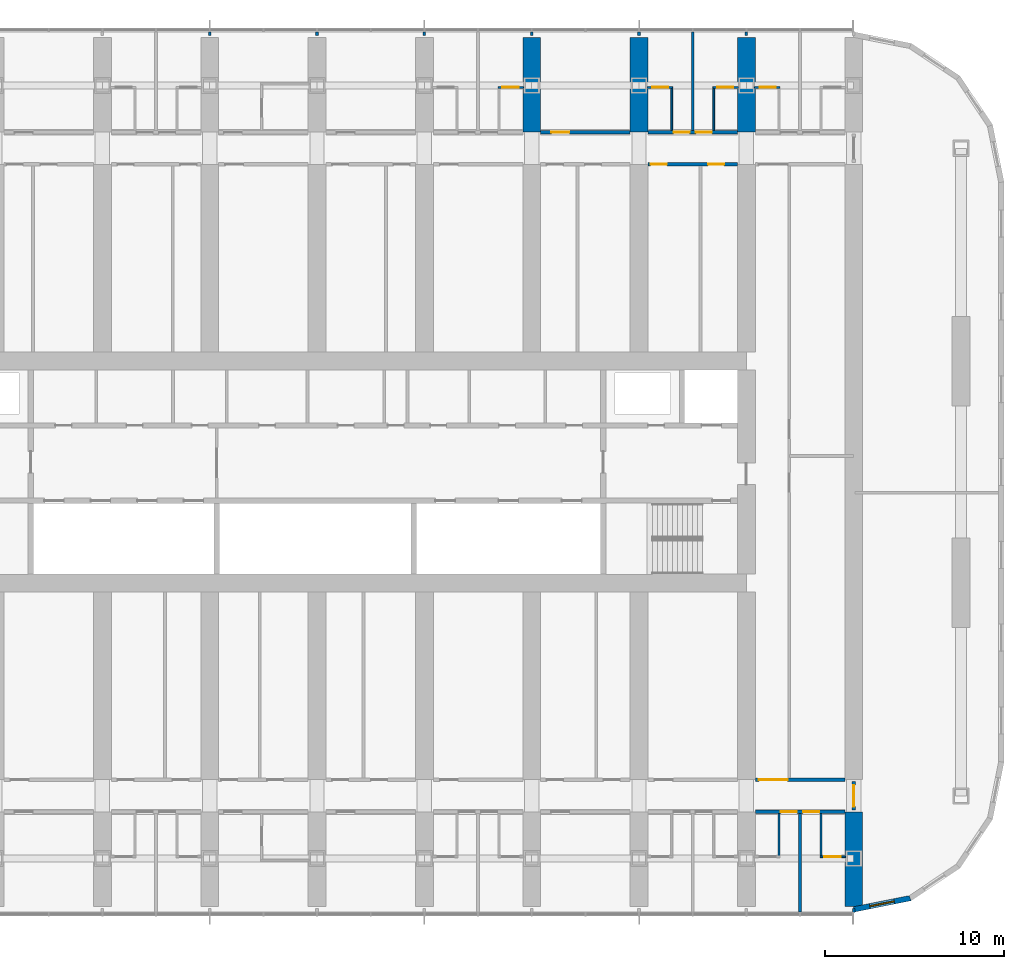
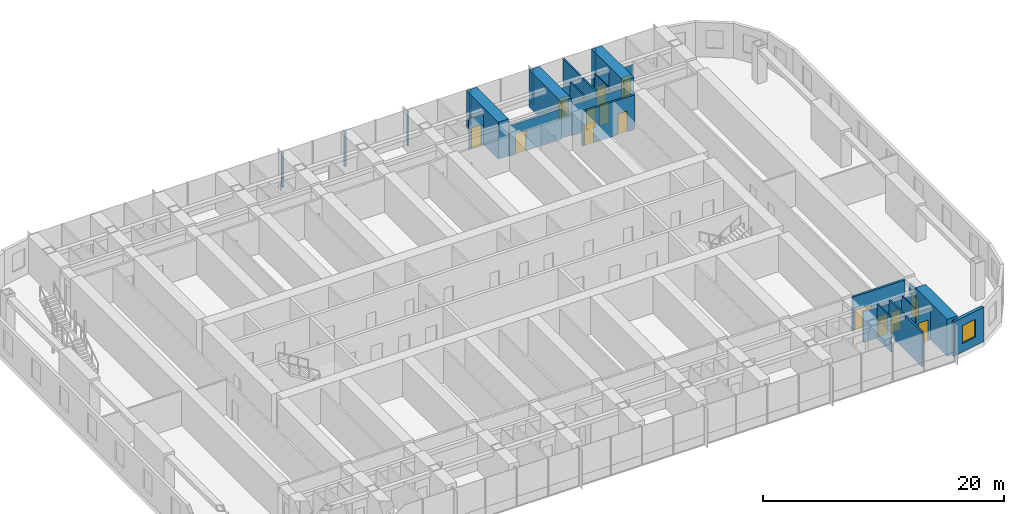
# One storey, part 19 of 28: 29 walls, 14 doors, 1 window, 15 openings.
"""IFC4 building model written with IfcOpenShell, lengths in metres."""

from ifc_helpers import new_model, si_unit, direction, frame, frame_2d, origin, place, context, subcontext, project, spatial, polyline, rectangle, outline, extrude, material, layer, layer_set, type_object, element, fill, save


model = new_model("IFC4")

# Units and contexts
model_context = context("Model", 3, precision=1e-05, world=origin(), true_north=direction((0.0, 1.0)))
body_context = subcontext(model_context, "Body", "Model", "MODEL_VIEW")
ifc_project = project(units=[si_unit("LENGTHUNIT", "METRE"), si_unit("AREAUNIT", "SQUARE_METRE"), si_unit("VOLUMEUNIT", "CUBIC_METRE"), si_unit("PLANEANGLEUNIT", "RADIAN"), si_unit("MASSUNIT", "GRAM", prefix="KILO")], contexts=[model_context])

# Site, building, storey
site_placement = place(None, origin())
site = spatial("IfcSite", under=ifc_project, at=site_placement, CompositionType="ELEMENT")
building_placement = place(site_placement, origin())
building = spatial("IfcBuilding", under=site, at=building_placement, Name="Orbita Commons", CompositionType="ELEMENT")
storey_placement = place(building_placement, frame((0.0, 0.0, 23.949951171875)))
storey = spatial("IfcBuildingStorey", under=building, at=storey_placement, Name="L05", CompositionType="ELEMENT", Elevation=23.949951171875)

# Wall, openings, doors
ifc_material_1 = material(Name="Concrete blockwork", Category="masonry")
ifc_layer_1 = layer(ifc_material_1, 0.199951171875)
ifc_layer_set_1 = layer_set([ifc_layer_1], Name="Concrete blockwork")
wall_type_1 = type_object("IfcWallType", Name="Corridor wall 200 blockwork", PredefinedType="SOLIDWALL", material=ifc_layer_set_1)
wall_1_placement = place(storey_placement, frame((66.5, 13.0, 0.0), z_axis=(0.0, 0.0, 1.0), x_axis=(1.0, 0.0, 0.0)))
wall_1 = element("IfcWall", 1, at=wall_1_placement, inside=storey, type_object=wall_type_1, Name="Corridor wall 200 blockwork L05", PredefinedType="SOLIDWALL", context=body_context, shape_type="SweptSolid", body=[
    extrude(outline(polyline([(0.0, 0.0), (5.0, 0.0), (5.0, 3.10009765625), (0.0, 3.10009765625), (0.0, 0.0)])), frame((0.0, 0.10009765625, 0.0), z_axis=(0.0, -1.0, 0.0), x_axis=(1.0, 0.0, 0.0)), (0.0, 0.0, 1.0), 0.199951171875),
])
opening_1_placement = place(wall_1_placement, frame((1.425048828125, 0.0, 0.0)))
opening_1 = element("IfcOpeningElement", 2, at=opening_1_placement, cuts=wall_1, Name="Opening D11", PredefinedType="OPENING", context=body_context, shape_type="SweptSolid", body=[
    extrude(rectangle(XDim=0.89990234375, YDim=2.10009765625, at=frame_2d((0.449951171875, 1.050048828125))), frame((0.0, 0.10986328125, 0.0), z_axis=(0.0, -1.0, 0.0), x_axis=(1.0, 0.0, 0.0)), (0.0, 0.0, 1.0), 0.219970703125),
])
opening_2_placement = place(wall_1_placement, frame((2.675048828125, 0.0, 0.0)))
opening_2 = element("IfcOpeningElement", 3, at=opening_2_placement, cuts=wall_1, Name="Opening D11", PredefinedType="OPENING", context=body_context, shape_type="SweptSolid", body=[
    extrude(rectangle(XDim=0.89990234375, YDim=2.10009765625, at=frame_2d((0.449951171875, 1.050048828125))), frame((0.0, 0.10986328125, 0.0), z_axis=(0.0, -1.0, 0.0), x_axis=(1.0, 0.0, 0.0)), (0.0, 0.0, 1.0), 0.219970703125),
])
ifc_material_2 = material(Name="Steel-faced fire door leaf", Category="steel")
door_type_1 = type_object("IfcDoorType", Name="Corridor door 20 min 900x2100", OperationType="SINGLE_SWING_LEFT", PredefinedType="DOOR", material=ifc_material_2)
door_1_placement = place(opening_1_placement, origin())
door_1 = element("IfcDoor", 4, at=door_1_placement, inside=storey, type_object=door_type_1, Name="House bedroom L05-S18 door", OperationType="SINGLE_SWING_LEFT", OverallHeight=2.10009765625, OverallWidth=0.89990234375, PredefinedType="DOOR", context=body_context, shape_type="SweptSolid", body=[
    extrude(rectangle(XDim=0.89990234375, YDim=2.10009765625, at=frame_2d((0.449951171875, 1.050048828125))), frame((0.0, 0.02490234375, 0.0), z_axis=(0.0, -1.0, 0.0), x_axis=(1.0, 0.0, 0.0)), (0.0, 0.0, 1.0), 0.050048828125),
])
fill(opening_1, door_1)
door_2_placement = place(opening_2_placement, origin())
door_2 = element("IfcDoor", 5, at=door_2_placement, inside=storey, type_object=door_type_1, Name="House bedroom L05-S19 door", OperationType="SINGLE_SWING_LEFT", OverallHeight=2.10009765625, OverallWidth=0.89990234375, PredefinedType="DOOR", context=body_context, shape_type="SweptSolid", body=[
    extrude(rectangle(XDim=0.89990234375, YDim=2.10009765625, at=frame_2d((0.449951171875, 1.050048828125))), frame((0.0, 0.02490234375, 0.0), z_axis=(0.0, -1.0, 0.0), x_axis=(1.0, 0.0, 0.0)), (0.0, 0.0, 1.0), 0.050048828125),
])
fill(opening_2, door_2)

# Wall, opening, door
wall_2_placement = place(storey_placement, frame((54.5, 51.0, 0.0), z_axis=(0.0, 0.0, 1.0), x_axis=(1.0, 0.0, 0.0)))
wall_2 = element("IfcWall", 6, at=wall_2_placement, inside=storey, type_object=wall_type_1, Name="Corridor wall 200 blockwork L05", PredefinedType="SOLIDWALL", context=body_context, shape_type="SweptSolid", body=[
    extrude(outline(polyline([(0.0, 0.0), (5.0, 0.0), (5.0, 3.10009765625), (0.0, 3.10009765625), (0.0, 0.0)])), frame((0.0, 0.10009765625, 0.0), z_axis=(0.0, -1.0, 0.0), x_axis=(1.0, 0.0, 0.0)), (0.0, 0.0, 1.0), 0.199951171875),
])
opening_3_placement = place(wall_2_placement, frame((0.60009765625, 0.0, 0.0)))
opening_3 = element("IfcOpeningElement", 7, at=opening_3_placement, cuts=wall_2, Name="Opening D06", PredefinedType="OPENING", context=body_context, shape_type="SweptSolid", body=[
    extrude(rectangle(XDim=1.0, YDim=2.10009765625, at=frame_2d((0.5, 1.050048828125))), frame((0.0, 0.10986328125, 0.0), z_axis=(0.0, -1.0, 0.0), x_axis=(1.0, 0.0, 0.0)), (0.0, 0.0, 1.0), 0.219970703125),
])
ifc_material_3 = material(Name="Steel-faced fire door leaf", Category="steel")
door_type_2 = type_object("IfcDoorType", Name="Corridor door 20 min 1000x2100", OperationType="SINGLE_SWING_LEFT", PredefinedType="DOOR", material=ifc_material_3)
door_3_placement = place(opening_3_placement, origin())
door_3 = element("IfcDoor", 8, at=door_3_placement, inside=storey, type_object=door_type_2, Name="House common room L05-N14 door", OperationType="SINGLE_SWING_LEFT", OverallHeight=2.10009765625, OverallWidth=1.0, PredefinedType="DOOR", context=body_context, shape_type="SweptSolid", body=[
    extrude(rectangle(XDim=1.0, YDim=2.10009765625, at=frame_2d((0.5, 1.050048828125))), frame((0.0, 0.02490234375, 0.0), z_axis=(0.0, -1.0, 0.0), x_axis=(1.0, 0.0, 0.0)), (0.0, 0.0, 1.0), 0.050048828125),
])
fill(opening_3, door_3)

# Wall, openings, doors
wall_3_placement = place(storey_placement, frame((60.5, 51.0, 0.0), z_axis=(0.0, 0.0, 1.0), x_axis=(1.0, 0.0, 0.0)))
wall_3 = element("IfcWall", 9, at=wall_3_placement, inside=storey, type_object=wall_type_1, Name="Corridor wall 200 blockwork L05", PredefinedType="SOLIDWALL", context=body_context, shape_type="SweptSolid", body=[
    extrude(outline(polyline([(0.0, 0.0), (5.0, 0.0), (5.0, 3.10009765625), (0.0, 3.10009765625), (0.0, 0.0)])), frame((0.0, 0.10009765625, 0.0), z_axis=(0.0, -1.0, 0.0), x_axis=(1.0, 0.0, 0.0)), (0.0, 0.0, 1.0), 0.199951171875),
])
opening_4_placement = place(wall_3_placement, frame((1.425048828125, 0.0, 0.0)))
opening_4 = element("IfcOpeningElement", 10, at=opening_4_placement, cuts=wall_3, Name="Opening D11", PredefinedType="OPENING", context=body_context, shape_type="SweptSolid", body=[
    extrude(rectangle(XDim=0.89990234375, YDim=2.10009765625, at=frame_2d((0.449951171875, 1.050048828125))), frame((0.0, 0.10986328125, 0.0), z_axis=(0.0, -1.0, 0.0), x_axis=(1.0, 0.0, 0.0)), (0.0, 0.0, 1.0), 0.219970703125),
])
opening_5_placement = place(wall_3_placement, frame((2.675048828125, 0.0, 0.0)))
opening_5 = element("IfcOpeningElement", 11, at=opening_5_placement, cuts=wall_3, Name="Opening D11", PredefinedType="OPENING", context=body_context, shape_type="SweptSolid", body=[
    extrude(rectangle(XDim=0.89990234375, YDim=2.10009765625, at=frame_2d((0.449951171875, 1.050048828125))), frame((0.0, 0.10986328125, 0.0), z_axis=(0.0, -1.0, 0.0), x_axis=(1.0, 0.0, 0.0)), (0.0, 0.0, 1.0), 0.219970703125),
])
door_4_placement = place(opening_4_placement, origin())
door_4 = element("IfcDoor", 12, at=door_4_placement, inside=storey, type_object=door_type_1, Name="House bedroom L05-N16 door", OperationType="SINGLE_SWING_LEFT", OverallHeight=2.10009765625, OverallWidth=0.89990234375, PredefinedType="DOOR", context=body_context, shape_type="SweptSolid", body=[
    extrude(rectangle(XDim=0.89990234375, YDim=2.10009765625, at=frame_2d((0.449951171875, 1.050048828125))), frame((0.0, 0.02490234375, 0.0), z_axis=(0.0, -1.0, 0.0), x_axis=(1.0, 0.0, 0.0)), (0.0, 0.0, 1.0), 0.050048828125),
])
fill(opening_4, door_4)
door_5_placement = place(opening_5_placement, origin())
door_5 = element("IfcDoor", 13, at=door_5_placement, inside=storey, type_object=door_type_1, Name="House bedroom L05-N17 door", OperationType="SINGLE_SWING_LEFT", OverallHeight=2.10009765625, OverallWidth=0.89990234375, PredefinedType="DOOR", context=body_context, shape_type="SweptSolid", body=[
    extrude(rectangle(XDim=0.89990234375, YDim=2.10009765625, at=frame_2d((0.449951171875, 1.050048828125))), frame((0.0, 0.02490234375, 0.0), z_axis=(0.0, -1.0, 0.0), x_axis=(1.0, 0.0, 0.0)), (0.0, 0.0, 1.0), 0.050048828125),
])
fill(opening_5, door_5)

# Wall, opening, door
wall_4_placement = place(storey_placement, frame((72.0, 13.10009765625, 0.0), z_axis=(0.0, 0.0, 1.0), x_axis=(0.0, 1.0, 0.0)))
wall_4 = element("IfcWall", 14, at=wall_4_placement, inside=storey, type_object=wall_type_1, Name="Corridor wall 200 blockwork L05", PredefinedType="SOLIDWALL", context=body_context, shape_type="SweptSolid", body=[
    extrude(outline(polyline([(0.0, 0.0), (1.599853515625, 0.0), (1.60009765625, 3.050048828125), (0.0, 3.050048828125), (0.0, 0.0)])), frame((0.0, 0.10009765625, 0.0), z_axis=(0.0, -1.0, 0.0), x_axis=(1.0, 0.0, 0.0)), (0.0, 0.0, 1.0), 0.199951171875),
])
opening_6_placement = place(wall_4_placement, frame((0.199951171875, 0.0, 0.0)))
opening_6 = element("IfcOpeningElement", 15, at=opening_6_placement, cuts=wall_4, Name="Opening D12", PredefinedType="OPENING", context=body_context, shape_type="SweptSolid", body=[
    extrude(rectangle(XDim=1.199951171875, YDim=2.10009765625, at=frame_2d((0.60009765625, 1.050048828125))), frame((0.0, 0.10986328125, 0.0), z_axis=(0.0, -1.0, 0.0), x_axis=(1.0, 0.0, 0.0)), (0.0, 0.0, 1.0), 0.219970703125),
])
ifc_material_4 = material(Name="Steel-faced fire door leaf", Category="steel")
door_type_3 = type_object("IfcDoorType", Name="Double corridor door 20 min 1200x2100", OperationType="DOUBLE_DOOR_SINGLE_SWING", PredefinedType="DOOR", material=ifc_material_4)
door_6_placement = place(opening_6_placement, origin())
door_6 = element("IfcDoor", 16, at=door_6_placement, inside=storey, type_object=door_type_3, Name="Lounge doors", OperationType="DOUBLE_DOOR_SINGLE_SWING", OverallHeight=2.10009765625, OverallWidth=1.199951171875, PredefinedType="DOOR", context=body_context, shape_type="SweptSolid", body=[
    extrude(rectangle(XDim=1.199951171875, YDim=2.10009765625, at=frame_2d((0.60009765625, 1.050048828125))), frame((0.0, 0.02490234375, 0.0), z_axis=(0.0, -1.0, 0.0), x_axis=(1.0, 0.0, 0.0)), (0.0, 0.0, 1.0), 0.050048828125),
])
fill(opening_6, door_6)

ifc_material_5 = material(Name="Hollow concrete block 200", Category="concrete")
ifc_layer_2 = layer(ifc_material_5, 0.199951171875)
ifc_layer_set_2 = layer_set([ifc_layer_2], Name="Hollow concrete block 200")
wall_type_2 = type_object("IfcWallType", Name="Corridor wall 200 hollow concrete block", PredefinedType="SOLIDWALL", material=ifc_layer_set_2)
wall_5_placement = place(storey_placement, frame((66.5, 14.800048828125, 0.0), z_axis=(0.0, 0.0, 1.0), x_axis=(1.0, 0.0, 0.0)))
wall_5 = element("IfcWall", 17, at=wall_5_placement, inside=storey, type_object=wall_type_2, Name="Corridor wall 200 hollow concrete block L05", PredefinedType="SOLIDWALL", context=body_context, shape_type="SweptSolid", body=[
    extrude(rectangle(XDim=5.0, YDim=0.199951171875, at=frame_2d((2.5, 0.0))), origin(), (0.0, 0.0, 1.0), 3.5),
])
opening_7_placement = place(wall_5_placement, frame((0.199951171875, 0.0, 0.0)))
opening_7 = element("IfcOpeningElement", 18, at=opening_7_placement, cuts=wall_5, Name="Opening D10", PredefinedType="OPENING", context=body_context, shape_type="SweptSolid", body=[
    extrude(rectangle(XDim=1.60009765625, YDim=2.10009765625, at=frame_2d((0.800048828125, 1.050048828125))), frame((0.0, 0.10986328125, 0.0), z_axis=(0.0, -1.0, 0.0), x_axis=(1.0, 0.0, 0.0)), (0.0, 0.0, 1.0), 0.219970703125),
])
ifc_material_6 = material(Name="Steel-faced fire door leaf", Category="steel")
door_type_4 = type_object("IfcDoorType", Name="Double corridor door 20 min 1600x2100", OperationType="DOUBLE_DOOR_SINGLE_SWING", PredefinedType="DOOR", material=ifc_material_6)
door_7_placement = place(opening_7_placement, origin())
door_7 = element("IfcDoor", 19, at=door_7_placement, inside=storey, type_object=door_type_4, Name="Cross corridor doors", OperationType="DOUBLE_DOOR_SINGLE_SWING", OverallHeight=2.10009765625, OverallWidth=1.60009765625, PredefinedType="DOOR", context=body_context, shape_type="SweptSolid", body=[
    extrude(rectangle(XDim=1.60009765625, YDim=2.10009765625, at=frame_2d((0.800048828125, 1.050048828125))), frame((0.0, 0.02490234375, 0.0), z_axis=(0.0, -1.0, 0.0), x_axis=(1.0, 0.0, 0.0)), (0.0, 0.0, 1.0), 0.050048828125),
])
fill(opening_7, door_7)

# Wall, openings, doors
wall_6_placement = place(storey_placement, frame((60.5, 49.199951171875, 0.0), z_axis=(0.0, 0.0, 1.0), x_axis=(1.0, 0.0, 0.0)))
wall_6 = element("IfcWall", 20, at=wall_6_placement, inside=storey, type_object=wall_type_2, Name="Corridor wall 200 hollow concrete block L05", PredefinedType="SOLIDWALL", context=body_context, shape_type="SweptSolid", body=[
    extrude(rectangle(XDim=5.0, YDim=0.199951171875, at=frame_2d((2.5, 0.0))), origin(), (0.0, 0.0, 1.0), 3.5),
])
opening_8_placement = place(wall_6_placement, frame((0.14990234375, 0.0, 0.0)))
opening_8 = element("IfcOpeningElement", 21, at=opening_8_placement, cuts=wall_6, Name="Opening D11", PredefinedType="OPENING", context=body_context, shape_type="SweptSolid", body=[
    extrude(rectangle(XDim=0.89990234375, YDim=2.10009765625, at=frame_2d((0.449951171875, 1.050048828125))), frame((0.0, 0.10986328125, 0.0), z_axis=(0.0, -1.0, 0.0), x_axis=(1.0, 0.0, 0.0)), (0.0, 0.0, 1.0), 0.219970703125),
])
opening_9_placement = place(wall_6_placement, frame((3.35498046875, 0.0, 0.0)))
opening_9 = element("IfcOpeningElement", 22, at=opening_9_placement, cuts=wall_6, Name="Opening D11", PredefinedType="OPENING", context=body_context, shape_type="SweptSolid", body=[
    extrude(rectangle(XDim=0.89990234375, YDim=2.10009765625, at=frame_2d((0.449951171875, 1.050048828125))), frame((0.0, 0.10986328125, 0.0), z_axis=(0.0, -1.0, 0.0), x_axis=(1.0, 0.0, 0.0)), (0.0, 0.0, 1.0), 0.219970703125),
])
door_8_placement = place(opening_8_placement, origin())
door_8 = element("IfcDoor", 23, at=door_8_placement, inside=storey, type_object=door_type_1, Name="Parcel and post room L05-BDN60 door", OperationType="SINGLE_SWING_LEFT", OverallHeight=2.10009765625, OverallWidth=0.89990234375, PredefinedType="DOOR", context=body_context, shape_type="SweptSolid", body=[
    extrude(rectangle(XDim=0.89990234375, YDim=2.10009765625, at=frame_2d((0.449951171875, 1.050048828125))), frame((0.0, 0.02490234375, 0.0), z_axis=(0.0, -1.0, 0.0), x_axis=(1.0, 0.0, 0.0)), (0.0, 0.0, 1.0), 0.050048828125),
])
fill(opening_8, door_8)
door_9_placement = place(opening_9_placement, origin())
door_9 = element("IfcDoor", 24, at=door_9_placement, inside=storey, type_object=door_type_1, Name="Battery and UPS room L05-BDN60n door", OperationType="SINGLE_SWING_LEFT", OverallHeight=2.10009765625, OverallWidth=0.89990234375, PredefinedType="DOOR", context=body_context, shape_type="SweptSolid", body=[
    extrude(rectangle(XDim=0.89990234375, YDim=2.10009765625, at=frame_2d((0.449951171875, 1.050048828125))), frame((0.0, 0.02490234375, 0.0), z_axis=(0.0, -1.0, 0.0), x_axis=(1.0, 0.0, 0.0)), (0.0, 0.0, 1.0), 0.050048828125),
])
fill(opening_9, door_9)

# Walls
ifc_material_7 = material(Name="Concrete C50/60", Category="concrete")
ifc_layer_3 = layer(ifc_material_7, 1.0)
ifc_layer_set_3 = layer_set([ifc_layer_3], Name="Concrete C50/60")
wall_type_3 = type_object("IfcWallType", Name="Cross wall 1000 C50/60", PredefinedType="SHEAR", material=ifc_layer_set_3)
for number, where, z_axis, x_axis, name in (
    (25, (54.0, 51.0, 0.0), (0.0, 0.0, 1.0), (0.0, 1.0, 0.0), "Cross wall 10 north outer L05"),
    (26, (60.0, 51.0, 0.0), (0.0, 0.0, 1.0), (0.0, 1.0, 0.0), "Cross wall 11 north outer L05"),
    (27, (66.0, 51.0, 0.0), (0.0, 0.0, 1.0), (0.0, 1.0, 0.0), "Cross wall 12 north outer L05"),
    (28, (72.0, 7.699951171875, 0.0), (0.0, 0.0, 1.0), (0.0, 1.0, 0.0), "Cross wall 13 south outer L05"),
):
    element("IfcWall", number, at=place(storey_placement, frame(where, z_axis=z_axis, x_axis=x_axis)), inside=storey, type_object=wall_type_3, Name=name, PredefinedType="SHEAR", context=body_context, shape_type="SweptSolid", body=[
        extrude(rectangle(XDim=5.300048828125, YDim=1.0, at=frame_2d((2.64990234375, 0.0))), origin(), (0.0, 0.0, 1.0), 3.75),
    ])
ifc_material_8 = material(Name="Moisture-resistant plasterboard on steel studs", Category="steel")
ifc_layer_4 = layer(ifc_material_8, 0.10009765625)
ifc_layer_set_4 = layer_set([ifc_layer_4], Name="Moisture-resistant plasterboard on steel studs")
wall_type_4 = type_object("IfcWallType", Name="En-suite partition 100", PredefinedType="PARTITIONING", material=ifc_layer_set_4)
wall_7_placement = place(storey_placement, frame((67.824951171875, 10.550048828125, 0.0), z_axis=(0.0, 0.0, 1.0), x_axis=(0.0, 1.0, 0.0)))
element("IfcWall", 29, at=wall_7_placement, inside=storey, type_object=wall_type_4, Name="En-suite partition 100 L05", PredefinedType="PARTITIONING", context=body_context, shape_type="SweptSolid", body=[
    extrude(outline(polyline([(0.0, 0.0), (2.349853515625, 0.0), (2.35009765625, 3.10009765625), (2.302001953125, 3.10009765625), (2.300048828125, 3.5), (0.052001953125, 3.5), (0.050048828125, 3.10009765625), (0.0, 3.10009765625), (0.0, 0.0)])), frame((0.0, 0.050048828125, 0.0), z_axis=(0.0, -1.0, 0.0), x_axis=(1.0, 0.0, 0.0)), (0.0, 0.0, 1.0), 0.10009765625),
])

# Wall, opening, door
wall_8_placement = place(storey_placement, frame((71.550048828125, 10.5, 0.0), z_axis=(0.0, 0.0, 1.0), x_axis=(-1.0, 0.0, 0.0)))
wall_8 = element("IfcWall", 30, at=wall_8_placement, inside=storey, type_object=wall_type_4, Name="En-suite partition 100 L05", PredefinedType="PARTITIONING", context=body_context, shape_type="SweptSolid", body=[
    extrude(outline(polyline([(0.0, 0.0), (1.425048828125, 0.0), (1.425048828125, 3.10009765625), (0.0, 3.10009765625), (0.0, 0.0)])), frame((0.0, 0.050048828125, 0.0), z_axis=(0.0, -1.0, 0.0), x_axis=(1.0, 0.0, 0.0)), (0.0, 0.0, 1.0), 0.10009765625),
])
opening_10_placement = place(wall_8_placement, frame((0.28759765625, 0.0, 0.0)))
opening_10 = element("IfcOpeningElement", 31, at=opening_10_placement, cuts=wall_8, Name="Opening D09", PredefinedType="OPENING", context=body_context, shape_type="SweptSolid", body=[
    extrude(rectangle(XDim=0.89990234375, YDim=2.10009765625, at=frame_2d((0.449951171875, 1.050048828125))), frame((0.0, 0.06005859375, 0.0), z_axis=(0.0, -1.0, 0.0), x_axis=(1.0, 0.0, 0.0)), (0.0, 0.0, 1.0), 0.1201171875),
])
ifc_material_9 = material(Name="Laminated timber door leaf", Category="wood")
door_type_5 = type_object("IfcDoorType", Name="En-suite door 900x2100", OperationType="SINGLE_SWING_RIGHT", PredefinedType="DOOR", material=ifc_material_9)
door_10_placement = place(opening_10_placement, origin())
door_10 = element("IfcDoor", 32, at=door_10_placement, inside=storey, type_object=door_type_5, Name="En-suite L05-S19 door", OperationType="SINGLE_SWING_RIGHT", OverallHeight=2.10009765625, OverallWidth=0.89990234375, PredefinedType="DOOR", context=body_context, shape_type="SweptSolid", body=[
    extrude(rectangle(XDim=0.89990234375, YDim=2.10009765625, at=frame_2d((0.449951171875, 1.050048828125))), frame((0.0, 0.02490234375, 0.0), z_axis=(0.0, -1.0, 0.0), x_axis=(1.0, 0.0, 0.0)), (0.0, 0.0, 1.0), 0.050048828125),
])
fill(opening_10, door_10)

# Wall
wall_9_placement = place(storey_placement, frame((70.175048828125, 10.550048828125, 0.0), z_axis=(0.0, 0.0, 1.0), x_axis=(0.0, 1.0, 0.0)))
element("IfcWall", 33, at=wall_9_placement, inside=storey, type_object=wall_type_4, Name="En-suite partition 100 L05", PredefinedType="PARTITIONING", context=body_context, shape_type="SweptSolid", body=[
    extrude(outline(polyline([(0.0, 0.0), (2.349853515625, 0.0), (2.35009765625, 3.10009765625), (2.302001953125, 3.10009765625), (2.300048828125, 3.5), (0.052001953125, 3.5), (0.050048828125, 3.10009765625), (0.0, 3.10009765625), (0.0, 0.0)])), frame((0.0, 0.050048828125, 0.0), z_axis=(0.0, -1.0, 0.0), x_axis=(1.0, 0.0, 0.0)), (0.0, 0.0, 1.0), 0.10009765625),
])

# Wall, opening, door
wall_10_placement = place(storey_placement, frame((52.125, 53.5, 0.0), z_axis=(0.0, 0.0, 1.0), x_axis=(1.0, 0.0, 0.0)))
wall_10 = element("IfcWall", 34, at=wall_10_placement, inside=storey, type_object=wall_type_4, Name="En-suite partition 100 L05", PredefinedType="PARTITIONING", context=body_context, shape_type="SweptSolid", body=[
    extrude(outline(polyline([(0.0, 0.0), (1.425048828125, 0.0), (1.425048828125, 3.10009765625), (0.0, 3.10009765625), (0.0, 0.0)])), frame((0.0, 0.050048828125, 0.0), z_axis=(0.0, -1.0, 0.0), x_axis=(1.0, 0.0, 0.0)), (0.0, 0.0, 1.0), 0.10009765625),
])
opening_11_placement = place(wall_10_placement, frame((0.237548828125, 0.0, 0.0)))
opening_11 = element("IfcOpeningElement", 35, at=opening_11_placement, cuts=wall_10, Name="Opening D09", PredefinedType="OPENING", context=body_context, shape_type="SweptSolid", body=[
    extrude(rectangle(XDim=0.89990234375, YDim=2.10009765625, at=frame_2d((0.449951171875, 1.050048828125))), frame((0.0, 0.06005859375, 0.0), z_axis=(0.0, -1.0, 0.0), x_axis=(1.0, 0.0, 0.0)), (0.0, 0.0, 1.0), 0.1201171875),
])
door_11_placement = place(opening_11_placement, origin())
door_11 = element("IfcDoor", 36, at=door_11_placement, inside=storey, type_object=door_type_5, Name="En-suite L05-N13 door", OperationType="SINGLE_SWING_RIGHT", OverallHeight=2.10009765625, OverallWidth=0.89990234375, PredefinedType="DOOR", context=body_context, shape_type="SweptSolid", body=[
    extrude(rectangle(XDim=0.89990234375, YDim=2.10009765625, at=frame_2d((0.449951171875, 1.050048828125))), frame((0.0, 0.02490234375, 0.0), z_axis=(0.0, -1.0, 0.0), x_axis=(1.0, 0.0, 0.0)), (0.0, 0.0, 1.0), 0.050048828125),
])
fill(opening_11, door_11)

wall_11_placement = place(storey_placement, frame((60.449951171875, 53.5, 0.0), z_axis=(0.0, 0.0, 1.0), x_axis=(1.0, 0.0, 0.0)))
wall_11 = element("IfcWall", 37, at=wall_11_placement, inside=storey, type_object=wall_type_4, Name="En-suite partition 100 L05", PredefinedType="PARTITIONING", context=body_context, shape_type="SweptSolid", body=[
    extrude(outline(polyline([(0.0, 0.0), (1.425048828125, 0.0), (1.425048828125, 3.10009765625), (0.0, 3.10009765625), (0.0, 0.0)])), frame((0.0, 0.050048828125, 0.0), z_axis=(0.0, -1.0, 0.0), x_axis=(1.0, 0.0, 0.0)), (0.0, 0.0, 1.0), 0.10009765625),
])
opening_12_placement = place(wall_11_placement, frame((0.28759765625, 0.0, 0.0)))
opening_12 = element("IfcOpeningElement", 38, at=opening_12_placement, cuts=wall_11, Name="Opening D09", PredefinedType="OPENING", context=body_context, shape_type="SweptSolid", body=[
    extrude(rectangle(XDim=0.89990234375, YDim=2.10009765625, at=frame_2d((0.449951171875, 1.050048828125))), frame((0.0, 0.06005859375, 0.0), z_axis=(0.0, -1.0, 0.0), x_axis=(1.0, 0.0, 0.0)), (0.0, 0.0, 1.0), 0.1201171875),
])
door_12_placement = place(opening_12_placement, origin())
door_12 = element("IfcDoor", 39, at=door_12_placement, inside=storey, type_object=door_type_5, Name="En-suite L05-N16 door", OperationType="SINGLE_SWING_RIGHT", OverallHeight=2.10009765625, OverallWidth=0.89990234375, PredefinedType="DOOR", context=body_context, shape_type="SweptSolid", body=[
    extrude(rectangle(XDim=0.89990234375, YDim=2.10009765625, at=frame_2d((0.449951171875, 1.050048828125))), frame((0.0, 0.02490234375, 0.0), z_axis=(0.0, -1.0, 0.0), x_axis=(1.0, 0.0, 0.0)), (0.0, 0.0, 1.0), 0.050048828125),
])
fill(opening_12, door_12)

# Wall
wall_12_placement = place(storey_placement, frame((61.824951171875, 53.449951171875, 0.0), z_axis=(0.0, 0.0, 1.0), x_axis=(0.0, -1.0, 0.0)))
element("IfcWall", 40, at=wall_12_placement, inside=storey, type_object=wall_type_4, Name="En-suite partition 100 L05", PredefinedType="PARTITIONING", context=body_context, shape_type="SweptSolid", body=[
    extrude(outline(polyline([(0.0, 0.0), (2.349853515625, 0.0), (2.35009765625, 3.10009765625), (2.302001953125, 3.10009765625), (2.300048828125, 3.5), (0.052001953125, 3.5), (0.050048828125, 3.10009765625), (0.0, 3.10009765625), (0.0, 0.0)])), frame((0.0, 0.050048828125, 0.0), z_axis=(0.0, -1.0, 0.0), x_axis=(1.0, 0.0, 0.0)), (0.0, 0.0, 1.0), 0.10009765625),
])

# Wall, opening, door
wall_13_placement = place(storey_placement, frame((64.125, 53.5, 0.0), z_axis=(0.0, 0.0, 1.0), x_axis=(1.0, 0.0, 0.0)))
wall_13 = element("IfcWall", 41, at=wall_13_placement, inside=storey, type_object=wall_type_4, Name="En-suite partition 100 L05", PredefinedType="PARTITIONING", context=body_context, shape_type="SweptSolid", body=[
    extrude(outline(polyline([(0.0, 0.0), (1.425048828125, 0.0), (1.425048828125, 3.10009765625), (0.0, 3.10009765625), (0.0, 0.0)])), frame((0.0, 0.050048828125, 0.0), z_axis=(0.0, -1.0, 0.0), x_axis=(1.0, 0.0, 0.0)), (0.0, 0.0, 1.0), 0.10009765625),
])
opening_13_placement = place(wall_13_placement, frame((0.237548828125, 0.0, 0.0)))
opening_13 = element("IfcOpeningElement", 42, at=opening_13_placement, cuts=wall_13, Name="Opening D09", PredefinedType="OPENING", context=body_context, shape_type="SweptSolid", body=[
    extrude(rectangle(XDim=0.89990234375, YDim=2.10009765625, at=frame_2d((0.449951171875, 1.050048828125))), frame((0.0, 0.06005859375, 0.0), z_axis=(0.0, -1.0, 0.0), x_axis=(1.0, 0.0, 0.0)), (0.0, 0.0, 1.0), 0.1201171875),
])
door_13_placement = place(opening_13_placement, origin())
door_13 = element("IfcDoor", 43, at=door_13_placement, inside=storey, type_object=door_type_5, Name="En-suite L05-N17 door", OperationType="SINGLE_SWING_RIGHT", OverallHeight=2.10009765625, OverallWidth=0.89990234375, PredefinedType="DOOR", context=body_context, shape_type="SweptSolid", body=[
    extrude(rectangle(XDim=0.89990234375, YDim=2.10009765625, at=frame_2d((0.449951171875, 1.050048828125))), frame((0.0, 0.02490234375, 0.0), z_axis=(0.0, -1.0, 0.0), x_axis=(1.0, 0.0, 0.0)), (0.0, 0.0, 1.0), 0.050048828125),
])
fill(opening_13, door_13)

# Wall
wall_14_placement = place(storey_placement, frame((64.175048828125, 53.449951171875, 0.0), z_axis=(0.0, 0.0, 1.0), x_axis=(0.0, -1.0, 0.0)))
element("IfcWall", 44, at=wall_14_placement, inside=storey, type_object=wall_type_4, Name="En-suite partition 100 L05", PredefinedType="PARTITIONING", context=body_context, shape_type="SweptSolid", body=[
    extrude(outline(polyline([(0.0, 0.0), (2.349853515625, 0.0), (2.35009765625, 3.10009765625), (2.302001953125, 3.10009765625), (2.300048828125, 3.5), (0.052001953125, 3.5), (0.050048828125, 3.10009765625), (0.0, 3.10009765625), (0.0, 0.0)])), frame((0.0, 0.050048828125, 0.0), z_axis=(0.0, -1.0, 0.0), x_axis=(1.0, 0.0, 0.0)), (0.0, 0.0, 1.0), 0.10009765625),
])

# Wall, opening, door
wall_15_placement = place(storey_placement, frame((66.449951171875, 53.5, 0.0), z_axis=(0.0, 0.0, 1.0), x_axis=(1.0, 0.0, 0.0)))
wall_15 = element("IfcWall", 45, at=wall_15_placement, inside=storey, type_object=wall_type_4, Name="En-suite partition 100 L05", PredefinedType="PARTITIONING", context=body_context, shape_type="SweptSolid", body=[
    extrude(outline(polyline([(0.0, 0.0), (1.425048828125, 0.0), (1.425048828125, 3.10009765625), (0.0, 3.10009765625), (0.0, 0.0)])), frame((0.0, 0.050048828125, 0.0), z_axis=(0.0, -1.0, 0.0), x_axis=(1.0, 0.0, 0.0)), (0.0, 0.0, 1.0), 0.10009765625),
])
opening_14_placement = place(wall_15_placement, frame((0.28759765625, 0.0, 0.0)))
opening_14 = element("IfcOpeningElement", 46, at=opening_14_placement, cuts=wall_15, Name="Opening D09", PredefinedType="OPENING", context=body_context, shape_type="SweptSolid", body=[
    extrude(rectangle(XDim=0.89990234375, YDim=2.10009765625, at=frame_2d((0.449951171875, 1.050048828125))), frame((0.0, 0.06005859375, 0.0), z_axis=(0.0, -1.0, 0.0), x_axis=(1.0, 0.0, 0.0)), (0.0, 0.0, 1.0), 0.1201171875),
])
door_14_placement = place(opening_14_placement, origin())
door_14 = element("IfcDoor", 47, at=door_14_placement, inside=storey, type_object=door_type_5, Name="En-suite L05-N18 door", OperationType="SINGLE_SWING_RIGHT", OverallHeight=2.10009765625, OverallWidth=0.89990234375, PredefinedType="DOOR", context=body_context, shape_type="SweptSolid", body=[
    extrude(rectangle(XDim=0.89990234375, YDim=2.10009765625, at=frame_2d((0.449951171875, 1.050048828125))), frame((0.0, 0.02490234375, 0.0), z_axis=(0.0, -1.0, 0.0), x_axis=(1.0, 0.0, 0.0)), (0.0, 0.0, 1.0), 0.050048828125),
])
fill(opening_14, door_14)

# Walls
ifc_material_10 = material(Name="Gypsum plasterboard on steel studs", Category="steel")
ifc_layer_5 = layer(ifc_material_10, 0.14990234375)
ifc_layer_set_5 = layer_set([ifc_layer_5], Name="Gypsum plasterboard on steel studs")
wall_type_5 = type_object("IfcWallType", Name="Partition 150 plasterboard", PredefinedType="PARTITIONING", material=ifc_layer_set_5)
for number, where, z_axis, x_axis, name in (
    (48, (36.0, 56.39990234375, 0.0), (0.0, 0.0, 1.0), (0.0, 1.0, 0.0), "Partition 150 plasterboard L05"),
    (49, (42.0, 56.39990234375, 0.0), (0.0, 0.0, 1.0), (0.0, 1.0, 0.0), "Partition 150 plasterboard L05"),
    (50, (48.0, 56.39990234375, 0.0), (0.0, 0.0, 1.0), (0.0, 1.0, 0.0), "Partition 150 plasterboard L05"),
    (51, (54.0, 56.39990234375, 0.0), (0.0, 0.0, 1.0), (0.0, 1.0, 0.0), "Partition 150 plasterboard L05"),
    (52, (60.0, 56.39990234375, 0.0), (0.0, 0.0, 1.0), (0.0, 1.0, 0.0), "Partition 150 plasterboard L05"),
    (53, (66.0, 56.39990234375, 0.0), (0.0, 0.0, 1.0), (0.0, 1.0, 0.0), "Partition 150 plasterboard L05"),
):
    element("IfcWall", number, at=place(storey_placement, frame(where, z_axis=z_axis, x_axis=x_axis)), inside=storey, type_object=wall_type_5, Name=name, PredefinedType="PARTITIONING", context=body_context, shape_type="SweptSolid", body=[
        extrude(rectangle(XDim=0.190185546875, YDim=0.14990234375, at=frame_2d((0.09521484375, 0.0))), origin(), (0.0, 0.0, 1.0), 3.5),
    ])
wall_16_placement = place(storey_placement, frame((72.0, 7.60009765625, 0.0), z_axis=(0.0, 0.0, 1.0), x_axis=(0.0, -1.0, 0.0)))
element("IfcWall", 54, at=wall_16_placement, inside=storey, type_object=wall_type_5, Name="Partition 150 plasterboard L05", PredefinedType="PARTITIONING", context=body_context, shape_type="SweptSolid", body=[
    extrude(rectangle(XDim=0.22021484375, YDim=0.14990234375, at=frame_2d((0.110107421875, 0.0))), origin(), (0.0, 0.0, 1.0), 3.5),
])
ifc_material_11 = material(Name="Gypsum plasterboard on steel studs", Category="steel")
ifc_layer_6 = layer(ifc_material_11, 0.14990234375)
ifc_layer_set_6 = layer_set([ifc_layer_6], Name="Gypsum plasterboard on steel studs")
wall_type_6 = type_object("IfcWallType", Name="Party wall 150 plasterboard", PredefinedType="PARTITIONING", material=ifc_layer_set_6)
for number, where, z_axis, x_axis, name in (
    (55, (69.0, 7.409912109375, 0.0), (0.0, 0.0, 1.0), (0.0, 1.0, 0.0), "Party wall 150 plasterboard L05"),
    (56, (63.0, 56.590087890625, 0.0), (0.0, 0.0, 1.0), (0.0, -1.0, 0.0), "Party wall 150 plasterboard L05"),
):
    element("IfcWall", number, at=place(storey_placement, frame(where, z_axis=z_axis, x_axis=x_axis)), inside=storey, type_object=wall_type_6, Name=name, PredefinedType="PARTITIONING", context=body_context, shape_type="SweptSolid", body=[
        extrude(outline(polyline([(0.0, 0.0), (5.489990234375, 0.0), (5.489990234375, 3.10009765625), (5.44189453125, 3.10009765625), (5.43994140625, 3.5), (3.19189453125, 3.5), (3.18994140625, 3.10009765625), (2.7919921875, 3.10009765625), (2.7900390625, 3.5), (0.0, 3.5), (0.0, 0.0)])), frame((0.0, 0.074951171875, 0.0), z_axis=(0.0, -1.0, 0.0), x_axis=(1.0, 0.0, 0.0)), (0.0, 0.0, 1.0), 0.14990234375),
    ])

# Wall, opening, window
ifc_material_12 = material(Name="Precast concrete C40/50, white board-marked finish", Category="concrete")
ifc_layer_7 = layer(ifc_material_12, 0.300048828125)
ifc_layer_set_7 = layer_set([ifc_layer_7], Name="Precast concrete C40/50, white board-marked finish")
wall_type_7 = type_object("IfcWallType", Name="Precast concrete end shield 300", PredefinedType="SOLIDWALL", material=ifc_layer_set_7)
wall_17_placement = place(storey_placement, frame((72.0, 7.550048828125, 0.0), z_axis=(0.0, 0.0, 1.0), x_axis=(0.980787251524, 0.195080412259, 0.0)))
wall_17 = element("IfcWall", 57, at=wall_17_placement, inside=storey, type_object=wall_type_7, Name="End shield SE chord 1 L05", PredefinedType="SOLIDWALL", context=body_context, shape_type="SweptSolid", body=[
    extrude(outline(polyline([(-0.02978515625, -0.14990234375), (3.24853515625, -0.14990234375), (3.18896484375, 0.14990234375), (0.02978515625, 0.14990234375), (-0.02978515625, -0.14990234375)])), origin(), (0.0, 0.0, 1.0), 3.5),
])
opening_15_placement = place(wall_17_placement, frame((0.909423828125, 0.0, 0.89990234375)))
opening_15 = element("IfcOpeningElement", 58, at=opening_15_placement, cuts=wall_17, Name="Opening W02", PredefinedType="OPENING", context=body_context, shape_type="SweptSolid", body=[
    extrude(rectangle(XDim=1.39990234375, YDim=1.800048828125, at=frame_2d((0.699951171875, 0.89990234375))), frame((0.0, 0.159912109375, 0.0), z_axis=(0.0, -1.0, 0.0), x_axis=(1.0, 0.0, 0.0)), (0.0, 0.0, 1.0), 0.320068359375),
])
ifc_material_13 = material(Name="Aluminium frame, clear double glazing", Category="aluminium")
window_type = type_object("IfcWindowType", Name="Deep-set window 1400x1800", PartitioningType="SINGLE_PANEL", PredefinedType="WINDOW", material=ifc_material_13)
window_placement = place(opening_15_placement, origin())
window = element("IfcWindow", 59, at=window_placement, inside=storey, type_object=window_type, Name="Window L05-SE0", OverallHeight=1.800048828125, OverallWidth=1.39990234375, PartitioningType="SINGLE_PANEL", PredefinedType="WINDOW", context=body_context, shape_type="SweptSolid", body=[
    extrude(rectangle(XDim=1.39990234375, YDim=1.800048828125, at=frame_2d((0.699951171875, 0.89990234375))), frame((0.0, 0.030029296875, 0.0), z_axis=(0.0, -1.0, 0.0), x_axis=(1.0, 0.0, 0.0)), (0.0, 0.0, 1.0), 0.06005859375),
])
fill(opening_15, window)

save(model, "model.ifc")
